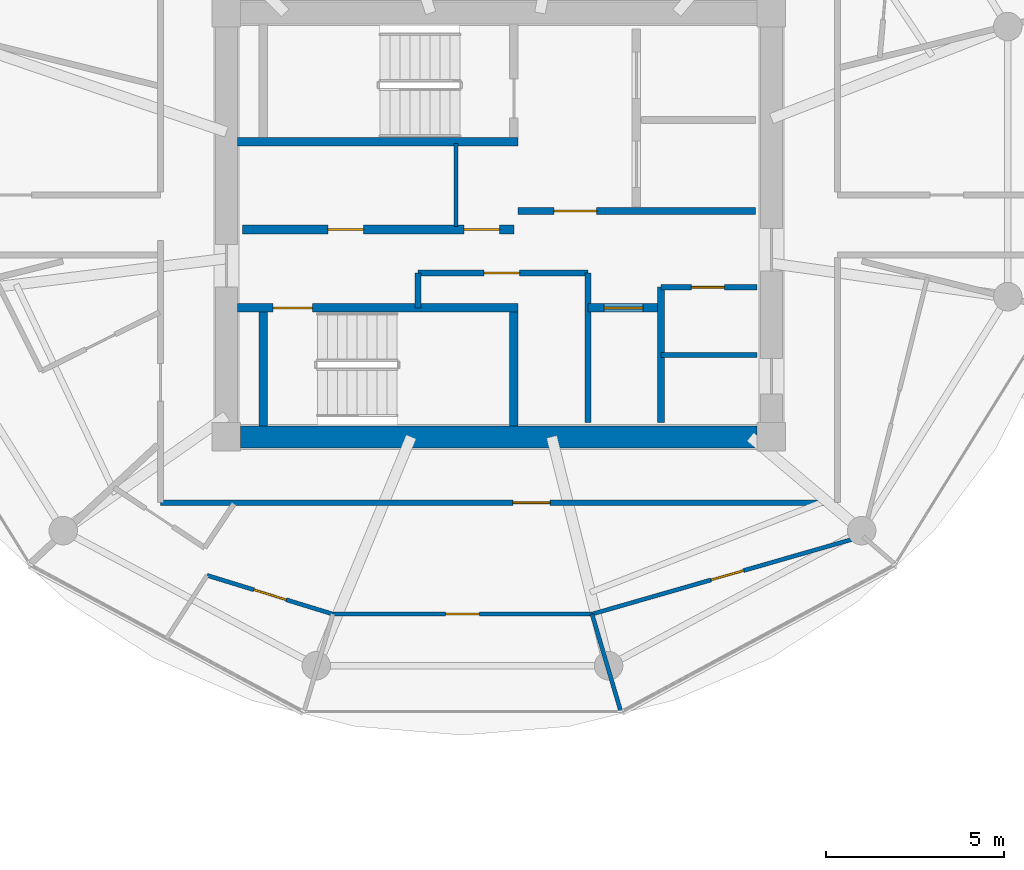
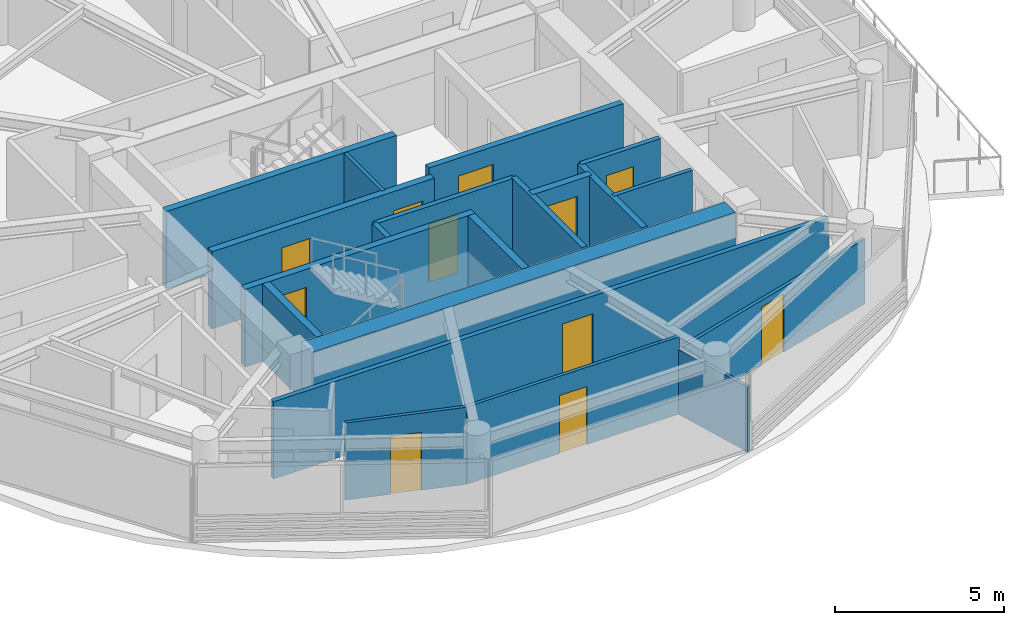
# One storey, part 15 of 22: 20 walls, 11 doors, 11 openings.
"""IFC4 building model written with IfcOpenShell, lengths in metres."""

from ifc_helpers import new_model, si_unit, direction, frame, frame_2d, origin, place, context, subcontext, project, spatial, rectangle, extrude, source, transform, mapped, material, layer, layer_set, type_object, type_shapes, element, fill, save


model = new_model("IFC4")

# Units and contexts
model_context = context("Model", 3, precision=1e-05, world=origin(), true_north=direction((0.0, 1.0)))
body_context = subcontext(model_context, "Body", "Model", "MODEL_VIEW")
ifc_project = project(units=[si_unit("LENGTHUNIT", "METRE"), si_unit("AREAUNIT", "SQUARE_METRE"), si_unit("VOLUMEUNIT", "CUBIC_METRE"), si_unit("PLANEANGLEUNIT", "RADIAN"), si_unit("MASSUNIT", "GRAM", prefix="KILO")], contexts=[model_context])

# Site, building, storey
site_placement = place(None, origin())
site = spatial("IfcSite", under=ifc_project, at=site_placement, CompositionType="ELEMENT")
building_placement = place(site_placement, origin())
building = spatial("IfcBuilding", under=site, at=building_placement, Name="Norrkilde Senior Care Towers", CompositionType="ELEMENT")
storey_placement = place(building_placement, frame((0.0, 0.0, 170.89990234375)))
storey = spatial("IfcBuildingStorey", under=building, at=storey_placement, Name="L53", CompositionType="ELEMENT", Elevation=170.89990234375)

# Walls
ifc_material_1 = material(Name="Concrete C50/60", Category="concrete")
ifc_layer_1 = layer(ifc_material_1, 0.6201171875)
ifc_layer_set_1 = layer_set([ifc_layer_1], Name="Concrete C50/60")
wall_type_1 = type_object("IfcWallType", Name="Core Shear Wall Z3 620", PredefinedType="SHEAR", material=ifc_layer_set_1)
shared_shape_1 = source(origin(), body_context, "Body", "SweptSolid", [
    extrude(rectangle(XDim=14.5, YDim=0.6201171875, at=frame_2d((7.25, 0.0))), origin(), (0.0, 0.0, 1.0), 2.81005859375),
])
type_shapes(wall_type_1, [shared_shape_1])
wall_1_placement = place(storey_placement, frame((35.25, -5.949951171875, 0.0), z_axis=(0.0, 0.0, 1.0), x_axis=(-1.0, 0.0, 0.0)))
element("IfcWall", 1, at=wall_1_placement, inside=storey, type_object=wall_type_1, Name="L53 Core E South Shear Wall", PredefinedType="SHEAR", context=body_context, shape_type="MappedRepresentation", body=[
    mapped(shared_shape_1, transform((0.0, 0.0, 0.0), x_axis=(1.0, 0.0, 0.0), y_axis=(0.0, 1.0, 0.0), z_axis=(0.0, 0.0, 1.0), scale=1.0)),
])
ifc_material_2 = material(Name="Concrete C45/55", Category="concrete")
ifc_layer_2 = layer(ifc_material_2, 0.239990234375)
ifc_layer_set_2 = layer_set([ifc_layer_2], Name="Concrete C45/55")
wall_type_2 = type_object("IfcWallType", Name="Shaft and Stair Enclosure Wall 240", PredefinedType="PARTITIONING", material=ifc_layer_set_2)
shared_shape_2 = source(origin(), body_context, "Body", "SweptSolid", [
    extrude(rectangle(XDim=7.880126953125, YDim=0.239990234375, at=frame_2d((3.93994140625, 0.0))), origin(), (0.0, 0.0, 1.0), 2.81005859375),
])
wall_2_placement = place(storey_placement, frame((20.659912109375, 2.330078125, 0.0), z_axis=(0.0, 0.0, 1.0), x_axis=(1.0, 0.0, 0.0)))
element("IfcWall", 2, at=wall_2_placement, inside=storey, type_object=wall_type_2, Name="WL-INT-L53-E-ST1S", PredefinedType="PARTITIONING", context=body_context, shape_type="MappedRepresentation", body=[
    mapped(shared_shape_2, transform((0.0, 0.0, 0.0), x_axis=(1.0, 0.0, 0.0), y_axis=(0.0, 1.0, 0.0), z_axis=(0.0, 0.0, 1.0), scale=1.0)),
])

# Wall, opening, door
wall_3_placement = place(storey_placement, frame((20.659912109375, -2.330078125, 0.0), z_axis=(0.0, 0.0, 1.0), x_axis=(1.0, 0.0, 0.0)))
wall_3 = element("IfcWall", 3, at=wall_3_placement, inside=storey, type_object=wall_type_2, Name="WL-INT-L53-E-ST2N", PredefinedType="PARTITIONING", context=body_context, shape_type="MappedRepresentation", body=[
    mapped(shared_shape_2, transform((0.0, 0.0, 0.0), x_axis=(1.0, 0.0, 0.0), y_axis=(0.0, 1.0, 0.0), z_axis=(0.0, 0.0, 1.0), scale=1.0)),
])
opening_1_placement = place(wall_3_placement, frame((1.0, 0.0, 0.0)))
opening_1 = element("IfcOpeningElement", 4, at=opening_1_placement, cuts=wall_3, Name="Opening D-03", PredefinedType="OPENING", context=body_context, shape_type="SweptSolid", body=[
    extrude(rectangle(XDim=1.10009765625, YDim=2.14990234375, at=frame_2d((0.550048828125, 1.074951171875))), frame((0.0, 0.1298828125, 0.0), z_axis=(0.0, -1.0, 0.0), x_axis=(1.0, 0.0, 0.0)), (0.0, 0.0, 1.0), 0.260009765625),
])
ifc_material_3 = material(Name="Galvanised Painted Steel", Category="steel")
door_type_1 = type_object("IfcDoorType", Name="Stairwell Protected Fire Door 1100x2150", OperationType="NOTDEFINED", PredefinedType="DOOR", material=ifc_material_3)
shared_shape_3 = source(origin(), body_context, "Body", "SweptSolid", [
    extrude(rectangle(XDim=1.10009765625, YDim=2.14990234375, at=frame_2d((0.550048828125, 1.074951171875))), frame((0.0, 0.02490234375, 0.0), z_axis=(0.0, -1.0, 0.0), x_axis=(1.0, 0.0, 0.0)), (0.0, 0.0, 1.0), 0.050048828125),
])
type_shapes(door_type_1, [shared_shape_3])
door_1_placement = place(opening_1_placement, frame((1.10009765625, 0.0, 0.0), z_axis=(0.0, 0.0, 1.0), x_axis=(-1.0, 0.0, 0.0)))
door_1 = element("IfcDoor", 5, at=door_1_placement, inside=storey, type_object=door_type_1, Name="L53 Stair E2 Fire Door", OperationType="SINGLE_SWING_RIGHT", OverallHeight=2.14990234375, OverallWidth=1.10009765625, PredefinedType="DOOR", context=body_context, shape_type="MappedRepresentation", body=[
    mapped(shared_shape_3, transform((0.0, 0.0, 0.0), x_axis=(1.0, 0.0, 0.0), y_axis=(0.0, 1.0, 0.0), z_axis=(0.0, 0.0, 1.0), scale=1.0)),
])
fill(opening_1, door_1)

# Walls
shared_shape_4 = source(origin(), body_context, "Body", "SweptSolid", [
    extrude(rectangle(XDim=3.18994140625, YDim=0.239990234375, at=frame_2d((1.594970703125, 0.0))), origin(), (0.0, 0.0, 1.0), 2.81005859375),
])
type_shapes(wall_type_2, [shared_shape_2, shared_shape_4])
for number, where, z_axis, x_axis, name in (
    (6, (21.3798828125, -5.639892578125, 0.0), (0.0, 0.0, 1.0), (0.0, 1.0, 0.0), "WL-INT-L53-E-ST2W"),
    (7, (28.419921875, -5.639892578125, 0.0), (0.0, 0.0, 1.0), (0.0, 1.0, 0.0), "WL-INT-L53-E-ST2E"),
):
    element("IfcWall", number, at=place(storey_placement, frame(where, z_axis=z_axis, x_axis=x_axis)), inside=storey, type_object=wall_type_2, Name=name, PredefinedType="PARTITIONING", context=body_context, shape_type="MappedRepresentation", body=[
        mapped(shared_shape_4, transform((0.0, 0.0, 0.0), x_axis=(1.0, 0.0, 0.0), y_axis=(0.0, 1.0, 0.0), z_axis=(0.0, 0.0, 1.0), scale=1.0)),
    ])

# Wall, opening, door
ifc_layer_3 = layer(ifc_material_2, 0.2099609375)
ifc_layer_set_3 = layer_set([ifc_layer_3], Name="Concrete C45/55")
wall_type_3 = type_object("IfcWallType", Name="Firefighting Lobby Wall 210", PredefinedType="PARTITIONING", material=ifc_layer_set_3)
shared_shape_5 = source(origin(), body_context, "Body", "SweptSolid", [
    extrude(rectangle(XDim=6.659912109375, YDim=0.2099609375, at=frame_2d((3.330078125, 0.0))), origin(), (0.0, 0.0, 1.0), 2.795166015625),
])
type_shapes(wall_type_3, [shared_shape_5])
wall_4_placement = place(storey_placement, frame((28.5400390625, 0.389892578125, 0.0), z_axis=(0.0, 0.0, 1.0), x_axis=(1.0, 0.0, 0.0)))
wall_4 = element("IfcWall", 8, at=wall_4_placement, inside=storey, type_object=wall_type_3, Name="WL-INT-L53-E-FFLS", PredefinedType="PARTITIONING", context=body_context, shape_type="MappedRepresentation", body=[
    mapped(shared_shape_5, transform((0.0, 0.0, 0.0), x_axis=(1.0, 0.0, 0.0), y_axis=(0.0, 1.0, 0.0), z_axis=(0.0, 0.0, 1.0), scale=1.0)),
])
opening_2_placement = place(wall_4_placement, frame((1.0, 0.0, 0.0)))
opening_2 = element("IfcOpeningElement", 9, at=opening_2_placement, cuts=wall_4, Name="Opening D-04", PredefinedType="OPENING", context=body_context, shape_type="SweptSolid", body=[
    extrude(rectangle(XDim=1.199951171875, YDim=2.14990234375, at=frame_2d((0.60009765625, 1.074951171875))), frame((0.0, 0.114990234375, 0.0), z_axis=(0.0, -1.0, 0.0), x_axis=(1.0, 0.0, 0.0)), (0.0, 0.0, 1.0), 0.22998046875),
])
door_type_2 = type_object("IfcDoorType", Name="Firefighting Lobby Fire Door 1200x2150", OperationType="NOTDEFINED", PredefinedType="DOOR", material=ifc_material_3)
shared_shape_6 = source(origin(), body_context, "Body", "SweptSolid", [
    extrude(rectangle(XDim=1.199951171875, YDim=2.14990234375, at=frame_2d((0.60009765625, 1.074951171875))), frame((0.0, 0.02490234375, 0.0), z_axis=(0.0, -1.0, 0.0), x_axis=(1.0, 0.0, 0.0)), (0.0, 0.0, 1.0), 0.050048828125),
])
type_shapes(door_type_2, [shared_shape_6])
door_2_placement = place(opening_2_placement, frame((1.199951171875, 0.0, 0.0), z_axis=(0.0, 0.0, 1.0), x_axis=(-1.0, 0.0, 0.0)))
door_2 = element("IfcDoor", 10, at=door_2_placement, inside=storey, type_object=door_type_2, Name="L53 Firefighting Lobby E Door", OperationType="SINGLE_SWING_LEFT", OverallHeight=2.14990234375, OverallWidth=1.199951171875, PredefinedType="DOOR", context=body_context, shape_type="MappedRepresentation", body=[
    mapped(shared_shape_6, transform((0.0, 0.0, 0.0), x_axis=(1.0, 0.0, 0.0), y_axis=(0.0, 1.0, 0.0), z_axis=(0.0, 0.0, 1.0), scale=1.0)),
])
fill(opening_2, door_2)

# Wall, openings, doors
ifc_layer_4 = layer(ifc_material_2, 0.239990234375)
ifc_layer_set_4 = layer_set([ifc_layer_4], Name="Concrete C45/55")
wall_type_4 = type_object("IfcWallType", Name="Lift and Plant Rated Enclosure Partition 240", PredefinedType="PARTITIONING", material=ifc_layer_set_4)
shared_shape_7 = source(origin(), body_context, "Body", "SweptSolid", [
    extrude(rectangle(XDim=7.619873046875, YDim=0.239990234375, at=frame_2d((3.81005859375, 0.0))), origin(), (0.0, 0.0, 1.0), 2.795166015625),
])
wall_5_placement = place(storey_placement, frame((20.800048828125, -0.1298828125, 0.0), z_axis=(0.0, 0.0, 1.0), x_axis=(1.0, 0.0, 0.0)))
wall_5 = element("IfcWall", 11, at=wall_5_placement, inside=storey, type_object=wall_type_4, Name="WL-INT-L53-E-PKAS", PredefinedType="PARTITIONING", context=body_context, shape_type="MappedRepresentation", body=[
    mapped(shared_shape_7, transform((0.0, 0.0, 0.0), x_axis=(1.0, 0.0, 0.0), y_axis=(0.0, 1.0, 0.0), z_axis=(0.0, 0.0, 1.0), scale=1.0)),
])
opening_3_placement = place(wall_5_placement, frame((6.219970703125, 0.0, 0.0)))
opening_3 = element("IfcOpeningElement", 12, at=opening_3_placement, cuts=wall_5, Name="Opening D-10", PredefinedType="OPENING", context=body_context, shape_type="SweptSolid", body=[
    extrude(rectangle(XDim=1.0, YDim=2.10009765625, at=frame_2d((0.5, 1.050048828125))), frame((0.0, 0.1298828125, 0.0), z_axis=(0.0, -1.0, 0.0), x_axis=(1.0, 0.0, 0.0)), (0.0, 0.0, 1.0), 0.260009765625),
])
opening_4_placement = place(wall_5_placement, frame((2.39990234375, 0.0, 0.0)))
opening_4 = element("IfcOpeningElement", 13, at=opening_4_placement, cuts=wall_5, Name="Opening D-10", PredefinedType="OPENING", context=body_context, shape_type="SweptSolid", body=[
    extrude(rectangle(XDim=1.0, YDim=2.10009765625, at=frame_2d((0.5, 1.050048828125))), frame((0.0, 0.1298828125, 0.0), z_axis=(0.0, -1.0, 0.0), x_axis=(1.0, 0.0, 0.0)), (0.0, 0.0, 1.0), 0.260009765625),
])
door_type_3 = type_object("IfcDoorType", Name="Plant and Riser Rated Door 1000x2100", OperationType="NOTDEFINED", PredefinedType="DOOR", material=ifc_material_3)
shared_shape_8 = source(origin(), body_context, "Body", "SweptSolid", [
    extrude(rectangle(XDim=1.0, YDim=2.10009765625, at=frame_2d((0.5, 1.050048828125))), frame((0.0, 0.02490234375, 0.0), z_axis=(0.0, -1.0, 0.0), x_axis=(1.0, 0.0, 0.0)), (0.0, 0.0, 1.0), 0.050048828125),
])
type_shapes(door_type_3, [shared_shape_8])
door_3_placement = place(opening_3_placement, frame((1.0, 0.0, 0.0), z_axis=(0.0, 0.0, 1.0), x_axis=(-1.0, 0.0, 0.0)))
door_3 = element("IfcDoor", 14, at=door_3_placement, inside=storey, type_object=door_type_3, Name="L53 Electrical Riser E Door", OperationType="SINGLE_SWING_LEFT", OverallHeight=2.10009765625, OverallWidth=1.0, PredefinedType="DOOR", context=body_context, shape_type="MappedRepresentation", body=[
    mapped(shared_shape_8, transform((0.0, 0.0, 0.0), x_axis=(1.0, 0.0, 0.0), y_axis=(0.0, 1.0, 0.0), z_axis=(0.0, 0.0, 1.0), scale=1.0)),
])
fill(opening_3, door_3)
door_4_placement = place(opening_4_placement, frame((1.0, 0.0, 0.0), z_axis=(0.0, 0.0, 1.0), x_axis=(-1.0, 0.0, 0.0)))
door_4 = element("IfcDoor", 15, at=door_4_placement, inside=storey, type_object=door_type_3, Name="L53 Clean Supply Store E Door", OperationType="SINGLE_SWING_LEFT", OverallHeight=2.10009765625, OverallWidth=1.0, PredefinedType="DOOR", context=body_context, shape_type="MappedRepresentation", body=[
    mapped(shared_shape_8, transform((0.0, 0.0, 0.0), x_axis=(1.0, 0.0, 0.0), y_axis=(0.0, 1.0, 0.0), z_axis=(0.0, 0.0, 1.0), scale=1.0)),
])
fill(opening_4, door_4)

# Walls
ifc_material_4 = material(Name="Gypsum Acoustic Board")
ifc_layer_5 = layer(ifc_material_4, 0.114990234375)
ifc_layer_set_5 = layer_set([ifc_layer_5], Name="Gypsum Acoustic Board")
wall_type_5 = type_object("IfcWallType", Name="Internal Room Partition 115", PredefinedType="PARTITIONING", material=ifc_layer_set_5)
shared_shape_9 = source(origin(), body_context, "Body", "SweptSolid", [
    extrude(rectangle(XDim=2.330078125, YDim=0.114990234375, at=frame_2d((1.1650390625, 0.0))), origin(), (0.0, 0.0, 1.0), 2.795166015625),
])
wall_6_placement = place(storey_placement, frame((26.7900390625, -0.050048828125, 0.0), z_axis=(0.0, 0.0, 1.0), x_axis=(0.0, 1.0, 0.0)))
element("IfcWall", 16, at=wall_6_placement, inside=storey, type_object=wall_type_5, Name="WL-INT-L53-E-RISW", PredefinedType="PARTITIONING", context=body_context, shape_type="MappedRepresentation", body=[
    mapped(shared_shape_9, transform((0.0, 0.0, 0.0), x_axis=(1.0, 0.0, 0.0), y_axis=(0.0, 1.0, 0.0), z_axis=(0.0, 0.0, 1.0), scale=1.0)),
])
ifc_layer_6 = layer(ifc_material_2, 0.199951171875)
ifc_layer_set_6 = layer_set([ifc_layer_6], Name="Concrete C45/55")
wall_type_6 = type_object("IfcWallType", Name="Shaft Division and Plant Partition 200", PredefinedType="PARTITIONING", material=ifc_layer_set_6)
shared_shape_10 = source(origin(), body_context, "Body", "SweptSolid", [
    extrude(rectangle(XDim=3.800048828125, YDim=0.199951171875, at=frame_2d((1.89990234375, 0.0))), origin(), (0.0, 0.0, 1.0), 2.795166015625),
])
type_shapes(wall_type_6, [shared_shape_10])
wall_7_placement = place(storey_placement, frame((32.550048828125, -5.550048828125, 0.0), z_axis=(0.0, 0.0, 1.0), x_axis=(0.0, 1.0, 0.0)))
element("IfcWall", 17, at=wall_7_placement, inside=storey, type_object=wall_type_6, Name="WL-INT-L53-E-PKBE", PredefinedType="PARTITIONING", context=body_context, shape_type="MappedRepresentation", body=[
    mapped(shared_shape_10, transform((0.0, 0.0, 0.0), x_axis=(1.0, 0.0, 0.0), y_axis=(0.0, 1.0, 0.0), z_axis=(0.0, 0.0, 1.0), scale=1.0)),
])

# Wall, opening, door
ifc_layer_7 = layer(ifc_material_4, 0.1650390625)
ifc_layer_set_7 = layer_set([ifc_layer_7], Name="Gypsum Acoustic Board")
wall_type_7 = type_object("IfcWallType", Name="Corridor Rated Partition 165", PredefinedType="PARTITIONING", material=ifc_layer_set_7)
shared_shape_11 = source(origin(), body_context, "Body", "SweptSolid", [
    extrude(rectangle(XDim=2.699951171875, YDim=0.1650390625, at=frame_2d((1.35009765625, 0.0))), origin(), (0.0, 0.0, 1.0), 2.795166015625),
])
wall_8_placement = place(storey_placement, frame((32.550048828125, -1.75, 0.0), z_axis=(0.0, 0.0, 1.0), x_axis=(1.0, 0.0, 0.0)))
wall_8 = element("IfcWall", 18, at=wall_8_placement, inside=storey, type_object=wall_type_7, Name="WL-INT-L53-E-CSN", PredefinedType="PARTITIONING", context=body_context, shape_type="MappedRepresentation", body=[
    mapped(shared_shape_11, transform((0.0, 0.0, 0.0), x_axis=(1.0, 0.0, 0.0), y_axis=(0.0, 1.0, 0.0), z_axis=(0.0, 0.0, 1.0), scale=1.0)),
])
opening_5_placement = place(wall_8_placement, frame((0.85009765625, 0.0, 0.0)))
opening_5 = element("IfcOpeningElement", 19, at=opening_5_placement, cuts=wall_8, Name="Opening D-12", PredefinedType="OPENING", context=body_context, shape_type="SweptSolid", body=[
    extrude(rectangle(XDim=0.925048828125, YDim=2.10009765625, at=frame_2d((0.46240234375, 1.050048828125))), frame((0.0, 0.092529296875, 0.0), z_axis=(0.0, -1.0, 0.0), x_axis=(1.0, 0.0, 0.0)), (0.0, 0.0, 1.0), 0.18505859375),
])
door_type_4 = type_object("IfcDoorType", Name="Core Wet Room Rated Door 925x2100", OperationType="NOTDEFINED", PredefinedType="DOOR", material=ifc_material_3)
shared_shape_12 = source(origin(), body_context, "Body", "SweptSolid", [
    extrude(rectangle(XDim=0.925048828125, YDim=2.10009765625, at=frame_2d((0.46240234375, 1.050048828125))), frame((0.0, 0.02490234375, 0.0), z_axis=(0.0, -1.0, 0.0), x_axis=(1.0, 0.0, 0.0)), (0.0, 0.0, 1.0), 0.050048828125),
])
type_shapes(door_type_4, [shared_shape_12])
door_5_placement = place(opening_5_placement, origin())
door_5 = element("IfcDoor", 20, at=door_5_placement, inside=storey, type_object=door_type_4, Name="L53 Staff WC E Door", OperationType="SINGLE_SWING_LEFT", OverallHeight=2.10009765625, OverallWidth=0.925048828125, PredefinedType="DOOR", context=body_context, shape_type="MappedRepresentation", body=[
    mapped(shared_shape_12, transform((0.0, 0.0, 0.0), x_axis=(1.0, 0.0, 0.0), y_axis=(0.0, 1.0, 0.0), z_axis=(0.0, 0.0, 1.0), scale=1.0)),
])
fill(opening_5, door_5)

shared_shape_13 = source(origin(), body_context, "Body", "SweptSolid", [
    extrude(rectangle(XDim=19.0, YDim=0.1650390625, at=frame_2d((9.5, 0.0))), origin(), (0.0, 0.0, 1.0), 2.795166015625),
])
wall_9_placement = place(storey_placement, frame((37.5, -7.800048828125, 0.0), z_axis=(0.0, 0.0, 1.0), x_axis=(-1.0, 0.0, 0.0)))
wall_9 = element("IfcWall", 21, at=wall_9_placement, inside=storey, type_object=wall_type_7, Name="WL-INT-L53-E-CRW-S-0", PredefinedType="PARTITIONING", context=body_context, shape_type="MappedRepresentation", body=[
    mapped(shared_shape_13, transform((0.0, 0.0, 0.0), x_axis=(1.0, 0.0, 0.0), y_axis=(0.0, 1.0, 0.0), z_axis=(0.0, 0.0, 1.0), scale=1.0)),
])
opening_6_placement = place(wall_9_placement, frame((8.061279296875, 0.0, 0.0)))
opening_6 = element("IfcOpeningElement", 22, at=opening_6_placement, cuts=wall_9, Name="Opening D-06", PredefinedType="OPENING", context=body_context, shape_type="SweptSolid", body=[
    extrude(rectangle(XDim=1.050048828125, YDim=2.14990234375, at=frame_2d((0.52490234375, 1.074951171875))), frame((0.0, 0.092529296875, 0.0), z_axis=(0.0, -1.0, 0.0), x_axis=(1.0, 0.0, 0.0)), (0.0, 0.0, 1.0), 0.18505859375),
])
ifc_material_5 = material(Name="Nordic Ash Timber", Category="wood")
door_type_5 = type_object("IfcDoorType", Name="Apartment Entrance Fire Door 1050x2150", OperationType="NOTDEFINED", PredefinedType="DOOR", material=ifc_material_5)
shared_shape_14 = source(origin(), body_context, "Body", "SweptSolid", [
    extrude(rectangle(XDim=1.050048828125, YDim=2.14990234375, at=frame_2d((0.52490234375, 1.074951171875))), frame((0.0, 0.02490234375, 0.0), z_axis=(0.0, -1.0, 0.0), x_axis=(1.0, 0.0, 0.0)), (0.0, 0.0, 1.0), 0.050048828125),
])
type_shapes(door_type_5, [shared_shape_14])
door_6_placement = place(opening_6_placement, frame((1.050048828125, 0.0, 0.0), z_axis=(0.0, 0.0, 1.0), x_axis=(-1.0, 0.0, 0.0)))
door_6 = element("IfcDoor", 23, at=door_6_placement, inside=storey, type_object=door_type_5, Name="Apartment 53D Entrance Door", OperationType="SINGLE_SWING_RIGHT", OverallHeight=2.14990234375, OverallWidth=1.050048828125, PredefinedType="DOOR", context=body_context, shape_type="MappedRepresentation", body=[
    mapped(shared_shape_14, transform((0.0, 0.0, 0.0), x_axis=(1.0, 0.0, 0.0), y_axis=(0.0, 1.0, 0.0), z_axis=(0.0, 0.0, 1.0), scale=1.0)),
])
fill(opening_6, door_6)

shared_shape_15 = source(origin(), body_context, "Body", "SweptSolid", [
    extrude(rectangle(XDim=2.050048828125, YDim=0.239990234375, at=frame_2d((1.02490234375, 0.0))), origin(), (0.0, 0.0, 1.0), 2.795166015625),
])
type_shapes(wall_type_4, [shared_shape_7, shared_shape_15])
wall_10_placement = place(storey_placement, frame((30.5, -2.330078125, 0.0), z_axis=(0.0, 0.0, 1.0), x_axis=(1.0, 0.0, 0.0)))
wall_10 = element("IfcWall", 24, at=wall_10_placement, inside=storey, type_object=wall_type_4, Name="WL-INT-L53-E-PL4N", PredefinedType="PARTITIONING", context=body_context, shape_type="MappedRepresentation", body=[
    mapped(shared_shape_15, transform((0.0, 0.0, 0.0), x_axis=(1.0, 0.0, 0.0), y_axis=(0.0, 1.0, 0.0), z_axis=(0.0, 0.0, 1.0), scale=1.0)),
])
opening_7_placement = place(wall_10_placement, frame((0.449951171875, 0.0, 0.0)))
opening_7 = element("IfcOpeningElement", 25, at=opening_7_placement, cuts=wall_10, Name="Opening LD-01", PredefinedType="OPENING", context=body_context, shape_type="SweptSolid", body=[
    extrude(rectangle(XDim=1.10009765625, YDim=2.199951171875, at=frame_2d((0.550048828125, 1.10009765625))), frame((0.0, 0.1298828125, 0.0), z_axis=(0.0, -1.0, 0.0), x_axis=(1.0, 0.0, 0.0)), (0.0, 0.0, 1.0), 0.260009765625),
])
ifc_material_6 = material(Name="Stainless Steel", Category="steel")
door_type_6 = type_object("IfcDoorType", Name="Lift Landing Sliding Door 1100x2200", OperationType="NOTDEFINED", PredefinedType="DOOR", material=ifc_material_6)
shared_shape_16 = source(origin(), body_context, "Body", "SweptSolid", [
    extrude(rectangle(XDim=1.10009765625, YDim=2.199951171875, at=frame_2d((0.550048828125, 1.10009765625))), frame((0.0, 0.02490234375, 0.0), z_axis=(0.0, -1.0, 0.0), x_axis=(1.0, 0.0, 0.0)), (0.0, 0.0, 1.0), 0.050048828125),
])
type_shapes(door_type_6, [shared_shape_16])
door_7_placement = place(opening_7_placement, frame((1.10009765625, 0.0, 0.0), z_axis=(0.0, 0.0, 1.0), x_axis=(-1.0, 0.0, 0.0)))
door_7 = element("IfcDoor", 26, at=door_7_placement, inside=storey, type_object=door_type_6, Name="L53 Passenger Lift E4 Landing Door", OperationType="SLIDING_TO_RIGHT", OverallHeight=2.199951171875, OverallWidth=1.10009765625, PredefinedType="DOOR", context=body_context, shape_type="MappedRepresentation", body=[
    mapped(shared_shape_16, transform((0.0, 0.0, 0.0), x_axis=(1.0, 0.0, 0.0), y_axis=(0.0, 1.0, 0.0), z_axis=(0.0, 0.0, 1.0), scale=1.0)),
])
fill(opening_7, door_7)

# Wall
ifc_layer_8 = layer(ifc_material_2, 0.179931640625)
ifc_layer_set_8 = layer_set([ifc_layer_8], Name="Concrete C45/55")
wall_type_8 = type_object("IfcWallType", Name="Hoistway Division Rated Partition 180", PredefinedType="PARTITIONING", material=ifc_layer_set_8)
shared_shape_17 = source(origin(), body_context, "Body", "SweptSolid", [
    extrude(rectangle(XDim=4.199951171875, YDim=0.179931640625, at=frame_2d((2.10009765625, 0.0))), origin(), (0.0, 0.0, 1.0), 2.795166015625),
])
type_shapes(wall_type_8, [shared_shape_17])
wall_11_placement = place(storey_placement, frame((30.5, -5.550048828125, 0.0), z_axis=(0.0, 0.0, 1.0), x_axis=(0.0, 1.0, 0.0)))
element("IfcWall", 27, at=wall_11_placement, inside=storey, type_object=wall_type_8, Name="WL-INT-L53-E-PL4W", PredefinedType="PARTITIONING", context=body_context, shape_type="MappedRepresentation", body=[
    mapped(shared_shape_17, transform((0.0, 0.0, 0.0), x_axis=(1.0, 0.0, 0.0), y_axis=(0.0, 1.0, 0.0), z_axis=(0.0, 0.0, 1.0), scale=1.0)),
])

# Wall, opening, door
shared_shape_18 = source(origin(), body_context, "Body", "SweptSolid", [
    extrude(rectangle(XDim=4.77001953125, YDim=0.1650390625, at=frame_2d((2.385009765625, 0.0))), origin(), (0.0, 0.0, 1.0), 2.795166015625),
])
wall_12_placement = place(storey_placement, frame((25.72998046875, -1.35009765625, 0.0), z_axis=(0.0, 0.0, 1.0), x_axis=(1.0, 0.0, 0.0)))
wall_12 = element("IfcWall", 28, at=wall_12_placement, inside=storey, type_object=wall_type_7, Name="WL-INT-L53-E-FR2N", PredefinedType="PARTITIONING", context=body_context, shape_type="MappedRepresentation", body=[
    mapped(shared_shape_18, transform((0.0, 0.0, 0.0), x_axis=(1.0, 0.0, 0.0), y_axis=(0.0, 1.0, 0.0), z_axis=(0.0, 0.0, 1.0), scale=1.0)),
])
opening_8_placement = place(wall_12_placement, frame((1.85009765625, 0.0, 0.0)))
opening_8 = element("IfcOpeningElement", 29, at=opening_8_placement, cuts=wall_12, Name="Opening D-10", PredefinedType="OPENING", context=body_context, shape_type="SweptSolid", body=[
    extrude(rectangle(XDim=1.0, YDim=2.10009765625, at=frame_2d((0.5, 1.050048828125))), frame((0.0, 0.092529296875, 0.0), z_axis=(0.0, -1.0, 0.0), x_axis=(1.0, 0.0, 0.0)), (0.0, 0.0, 1.0), 0.18505859375),
])
door_8_placement = place(opening_8_placement, origin())
door_8 = element("IfcDoor", 30, at=door_8_placement, inside=storey, type_object=door_type_3, Name="L53 Core Pantry E Door", OperationType="SINGLE_SWING_RIGHT", OverallHeight=2.10009765625, OverallWidth=1.0, PredefinedType="DOOR", context=body_context, shape_type="MappedRepresentation", body=[
    mapped(shared_shape_8, transform((0.0, 0.0, 0.0), x_axis=(1.0, 0.0, 0.0), y_axis=(0.0, 1.0, 0.0), z_axis=(0.0, 0.0, 1.0), scale=1.0)),
])
fill(opening_8, door_8)

# Walls
shared_shape_19 = source(origin(), body_context, "Body", "SweptSolid", [
    extrude(rectangle(XDim=0.97998046875, YDim=0.1650390625, at=frame_2d((0.489990234375, 0.0))), origin(), (0.0, 0.0, 1.0), 2.795166015625),
])
type_shapes(wall_type_7, [shared_shape_11, shared_shape_13, shared_shape_18, shared_shape_19])
wall_13_placement = place(storey_placement, frame((25.72998046875, -2.330078125, 0.0), z_axis=(0.0, 0.0, 1.0), x_axis=(0.0, 1.0, 0.0)))
element("IfcWall", 31, at=wall_13_placement, inside=storey, type_object=wall_type_7, Name="WL-INT-L53-E-FR2W", PredefinedType="PARTITIONING", context=body_context, shape_type="MappedRepresentation", body=[
    mapped(shared_shape_19, transform((0.0, 0.0, 0.0), x_axis=(1.0, 0.0, 0.0), y_axis=(0.0, 1.0, 0.0), z_axis=(0.0, 0.0, 1.0), scale=1.0)),
])
ifc_layer_9 = layer(ifc_material_4, 0.139892578125)
ifc_layer_set_9 = layer_set([ifc_layer_9], Name="Gypsum Acoustic Board")
wall_type_9 = type_object("IfcWallType", Name="En-suite Wet Room Wall 140", PredefinedType="PARTITIONING", material=ifc_layer_set_9)
shared_shape_20 = source(origin(), body_context, "Body", "SweptSolid", [
    extrude(rectangle(XDim=2.699951171875, YDim=0.139892578125, at=frame_2d((1.35009765625, 0.0))), origin(), (0.0, 0.0, 1.0), 2.795166015625),
])
type_shapes(wall_type_9, [shared_shape_20])
wall_14_placement = place(storey_placement, frame((32.550048828125, -3.64990234375, 0.0), z_axis=(0.0, 0.0, 1.0), x_axis=(1.0, 0.0, 0.0)))
element("IfcWall", 32, at=wall_14_placement, inside=storey, type_object=wall_type_9, Name="WL-INT-L53-E-CS2H", PredefinedType="PARTITIONING", context=body_context, shape_type="MappedRepresentation", body=[
    mapped(shared_shape_20, transform((0.0, 0.0, 0.0), x_axis=(1.0, 0.0, 0.0), y_axis=(0.0, 1.0, 0.0), z_axis=(0.0, 0.0, 1.0), scale=1.0)),
])

# Wall, opening, door
shared_shape_21 = source(origin(), body_context, "Body", "SweptSolid", [
    extrude(rectangle(XDim=7.273681640625, YDim=0.114990234375, at=frame_2d((3.63671875, 0.0))), origin(), (0.0, 0.0, 1.0), 2.795166015625),
])
wall_15_placement = place(storey_placement, frame((23.338134765625, -10.923583984375, 0.0), z_axis=(0.0, 0.0, 1.0), x_axis=(1.0, 0.0, 0.0)))
wall_15 = element("IfcWall", 33, at=wall_15_placement, inside=storey, type_object=wall_type_5, Name="WL-INT-L53-E-UBC-07-1", PredefinedType="PARTITIONING", context=body_context, shape_type="MappedRepresentation", body=[
    mapped(shared_shape_21, transform((0.0, 0.0, 0.0), x_axis=(1.0, 0.0, 0.0), y_axis=(0.0, 1.0, 0.0), z_axis=(0.0, 0.0, 1.0), scale=1.0)),
])
opening_9_placement = place(wall_15_placement, frame((3.161865234375, 0.0, 0.0)))
opening_9 = element("IfcOpeningElement", 34, at=opening_9_placement, cuts=wall_15, Name="Opening D-07", PredefinedType="OPENING", context=body_context, shape_type="SweptSolid", body=[
    extrude(rectangle(XDim=0.949951171875, YDim=2.10009765625, at=frame_2d((0.47509765625, 1.050048828125))), frame((0.0, 0.0673828125, 0.0), z_axis=(0.0, -1.0, 0.0), x_axis=(1.0, 0.0, 0.0)), (0.0, 0.0, 1.0), 0.135009765625),
])
door_type_7 = type_object("IfcDoorType", Name="Internal Suite Bedroom Door 950x2100", OperationType="NOTDEFINED", PredefinedType="DOOR", material=ifc_material_5)
shared_shape_22 = source(origin(), body_context, "Body", "SweptSolid", [
    extrude(rectangle(XDim=0.949951171875, YDim=2.10009765625, at=frame_2d((0.47509765625, 1.050048828125))), frame((0.0, 0.02490234375, 0.0), z_axis=(0.0, -1.0, 0.0), x_axis=(1.0, 0.0, 0.0)), (0.0, 0.0, 1.0), 0.050048828125),
])
type_shapes(door_type_7, [shared_shape_22])
door_9_placement = place(opening_9_placement, origin())
door_9 = element("IfcDoor", 35, at=door_9_placement, inside=storey, type_object=door_type_7, Name="Apartment 53D Bedroom 1 Door", OperationType="SINGLE_SWING_LEFT", OverallHeight=2.10009765625, OverallWidth=0.949951171875, PredefinedType="DOOR", context=body_context, shape_type="MappedRepresentation", body=[
    mapped(shared_shape_22, transform((0.0, 0.0, 0.0), x_axis=(1.0, 0.0, 0.0), y_axis=(0.0, 1.0, 0.0), z_axis=(0.0, 0.0, 1.0), scale=1.0)),
])
fill(opening_9, door_9)

shared_shape_23 = source(origin(), body_context, "Body", "SweptSolid", [
    extrude(rectangle(XDim=7.91064453125, YDim=0.114990234375, at=frame_2d((3.955322265625, 0.0))), origin(), (0.0, 0.0, 1.0), 2.34521484375),
])
wall_16_placement = place(storey_placement, frame((30.612548828125, -10.926513671875, 0.0), z_axis=(0.0, 0.0, 1.0), x_axis=(0.961104741235, 0.276184134908, 0.0)))
wall_16 = element("IfcWall", 36, at=wall_16_placement, inside=storey, type_object=wall_type_5, Name="WL-INT-L53-E-UBC-07-2", PredefinedType="PARTITIONING", context=body_context, shape_type="MappedRepresentation", body=[
    mapped(shared_shape_23, transform((0.0, 0.0, 0.0), x_axis=(1.0, 0.0, 0.0), y_axis=(0.0, 1.0, 0.0), z_axis=(0.0, 0.0, 1.0), scale=1.0)),
])
opening_10_placement = place(wall_16_placement, frame((3.480224609375, 0.0, 0.0)))
opening_10 = element("IfcOpeningElement", 37, at=opening_10_placement, cuts=wall_16, Name="Opening D-07", PredefinedType="OPENING", context=body_context, shape_type="SweptSolid", body=[
    extrude(rectangle(XDim=0.949951171875, YDim=2.10009765625, at=frame_2d((0.47509765625, 1.050048828125))), frame((0.0, 0.0673828125, 0.0), z_axis=(0.0, -1.0, 0.0), x_axis=(1.0, 0.0, 0.0)), (0.0, 0.0, 1.0), 0.135009765625),
])
door_10_placement = place(opening_10_placement, frame((0.949951171875, 0.0, 0.0), z_axis=(0.0, 0.0, 1.0), x_axis=(-1.0, 0.0, 0.0)))
door_10 = element("IfcDoor", 38, at=door_10_placement, inside=storey, type_object=door_type_7, Name="Apartment 53D Bedroom 2 Door", OperationType="SINGLE_SWING_RIGHT", OverallHeight=2.10009765625, OverallWidth=0.949951171875, PredefinedType="DOOR", context=body_context, shape_type="MappedRepresentation", body=[
    mapped(shared_shape_22, transform((0.0, 0.0, 0.0), x_axis=(1.0, 0.0, 0.0), y_axis=(0.0, 1.0, 0.0), z_axis=(0.0, 0.0, 1.0), scale=1.0)),
])
fill(opening_10, door_10)

# Wall
shared_shape_24 = source(origin(), body_context, "Body", "SweptSolid", [
    extrude(rectangle(XDim=2.870849609375, YDim=0.114990234375, at=frame_2d((1.435546875, 0.0))), origin(), (0.0, 0.0, 1.0), 2.34521484375),
])
wall_17_placement = place(storey_placement, frame((30.612548828125, -10.926513671875, 0.0), z_axis=(0.0, 0.0, 1.0), x_axis=(0.283616326168, -0.958937839242, 0.0)))
element("IfcWall", 39, at=wall_17_placement, inside=storey, type_object=wall_type_5, Name="WL-INT-L53-E-UBR-07-2", PredefinedType="PARTITIONING", context=body_context, shape_type="MappedRepresentation", body=[
    mapped(shared_shape_24, transform((0.0, 0.0, 0.0), x_axis=(1.0, 0.0, 0.0), y_axis=(0.0, 1.0, 0.0), z_axis=(0.0, 0.0, 1.0), scale=1.0)),
])

# Wall, opening, door
shared_shape_25 = source(origin(), body_context, "Body", "SweptSolid", [
    extrude(rectangle(XDim=3.693115234375, YDim=0.114990234375, at=frame_2d((1.8466796875, 0.0))), origin(), (0.0, 0.0, 1.0), 2.795166015625),
])
type_shapes(wall_type_5, [shared_shape_9, shared_shape_21, shared_shape_23, shared_shape_24, shared_shape_25])
wall_18_placement = place(storey_placement, frame((19.807861328125, -9.83935546875, 0.0), z_axis=(0.0, 0.0, 1.0), x_axis=(0.955691778506, -0.294369197599, 0.0)))
wall_18 = element("IfcWall", 40, at=wall_18_placement, inside=storey, type_object=wall_type_5, Name="WL-INT-L53-E-UKTF-07", PredefinedType="PARTITIONING", context=body_context, shape_type="MappedRepresentation", body=[
    mapped(shared_shape_25, transform((0.0, 0.0, 0.0), x_axis=(1.0, 0.0, 0.0), y_axis=(0.0, 1.0, 0.0), z_axis=(0.0, 0.0, 1.0), scale=1.0)),
])
opening_11_placement = place(wall_18_placement, frame((1.37158203125, 0.0, 0.0)))
opening_11 = element("IfcOpeningElement", 41, at=opening_11_placement, cuts=wall_18, Name="Opening D-07", PredefinedType="OPENING", context=body_context, shape_type="SweptSolid", body=[
    extrude(rectangle(XDim=0.949951171875, YDim=2.10009765625, at=frame_2d((0.47509765625, 1.050048828125))), frame((0.0, 0.0673828125, 0.0), z_axis=(0.0, -1.0, 0.0), x_axis=(1.0, 0.0, 0.0)), (0.0, 0.0, 1.0), 0.135009765625),
])
door_11_placement = place(opening_11_placement, frame((0.949951171875, 0.0, 0.0), z_axis=(0.0, 0.0, 1.0), x_axis=(-1.0, 0.0, 0.0)))
door_11 = element("IfcDoor", 42, at=door_11_placement, inside=storey, type_object=door_type_7, Name="Apartment 53D Kitchen Door", OperationType="SINGLE_SWING_RIGHT", OverallHeight=2.10009765625, OverallWidth=0.949951171875, PredefinedType="DOOR", context=body_context, shape_type="MappedRepresentation", body=[
    mapped(shared_shape_22, transform((0.0, 0.0, 0.0), x_axis=(1.0, 0.0, 0.0), y_axis=(0.0, 1.0, 0.0), z_axis=(0.0, 0.0, 1.0), scale=1.0)),
])
fill(opening_11, door_11)

save(model, "model.ifc")
